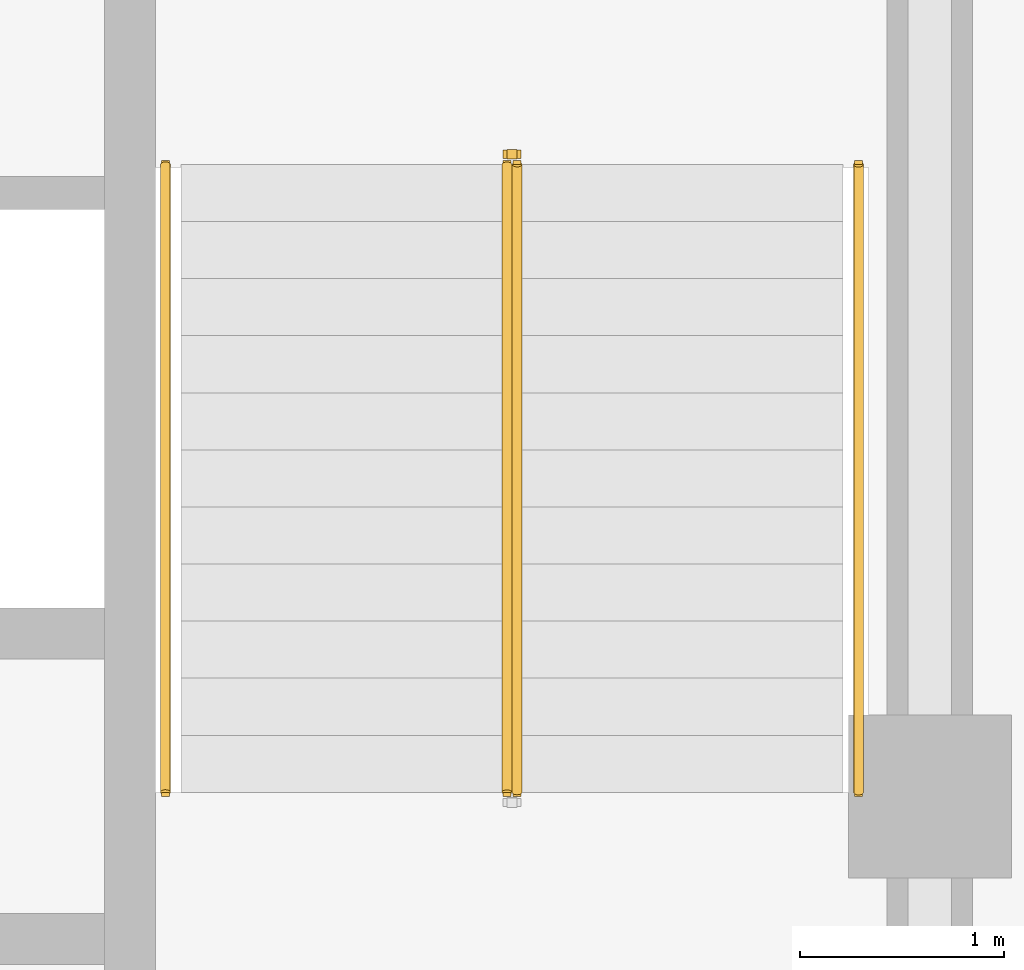
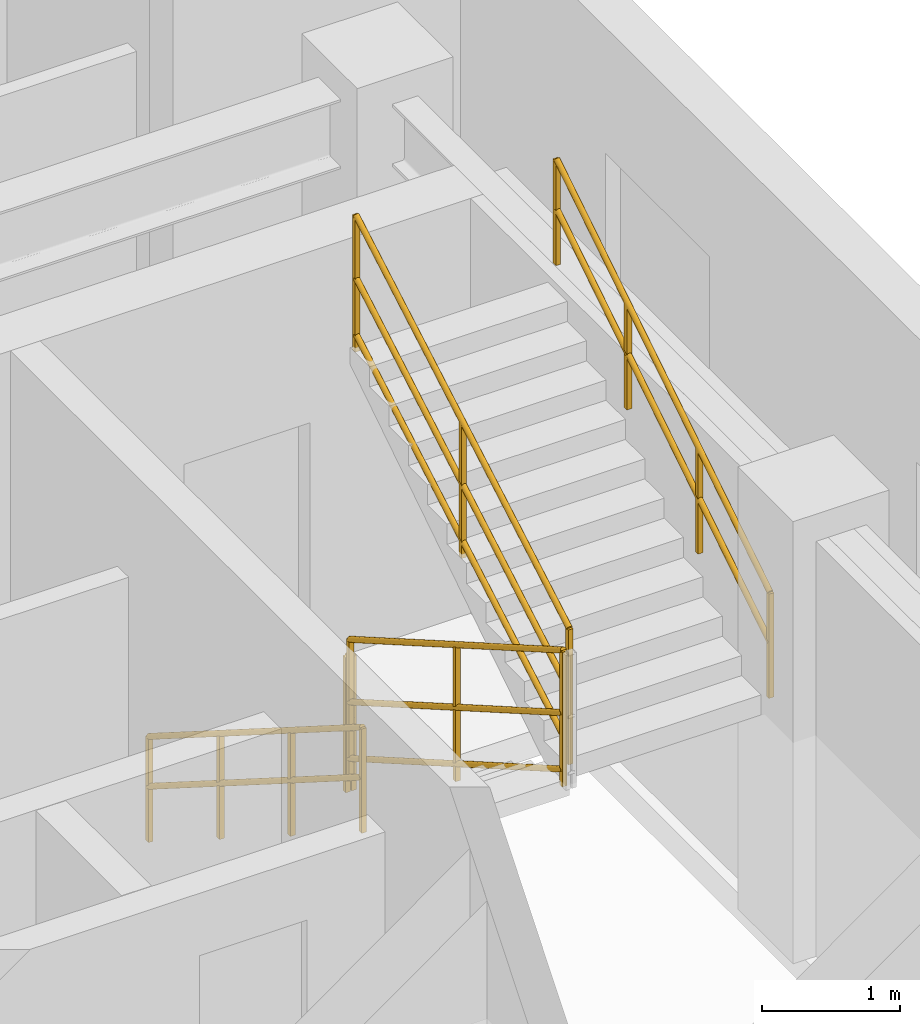
# One storey, part 9 of 10: 5 railings.
"""IFC4 building model written with IfcOpenShell, lengths in metres."""

import ifcopenshell
import ifcopenshell.guid

model = None  # the IFC model being written
_history = None  # IfcOwnerHistory: only IFC2X3 demands one
_inside = {}  # id of a spatial element -> (the spatial element, [elements in it])
_under = {}  # id of a project, library or spatial element -> (it, [spatial elements below it])
_declared = {}  # id of a project -> (the project, [libraries it declares])
_typed = {}  # id of a type object -> (the type object, [elements of that type])
_made_of = {}  # id of a material, layer set ... -> (it, [elements and type objects made of it])


def new_model(schema):
    """Start an empty IFC model of exactly this schema.

    Asked for "IFC4X3", IfcOpenShell would pick the latest addendum, in which some entities
    have other attributes; the version numbers below select the first issue.
    IFC2X3 requires an IfcOwnerHistory on every rooted entity: one is made here for all.
    """
    global model, _history
    if schema == "IFC4X3":
        model = ifcopenshell.file(schema_version=(4, 3, 0, 0))
    else:
        model = ifcopenshell.file(schema=schema)
    _inside.clear()
    _under.clear()
    _declared.clear()
    _typed.clear()
    _made_of.clear()
    _history = None
    if model.schema == "IFC2X3":
        org = make("IfcOrganization", Name="unknown")
        user = make(
            "IfcPersonAndOrganization",
            ThePerson=make("IfcPerson", FamilyName="unknown"),
            TheOrganization=org,
        )
        app = make(
            "IfcApplication",
            ApplicationDeveloper=org,
            Version="unknown",
            ApplicationFullName="unknown",
            ApplicationIdentifier="unknown",
        )
        _history = make(
            "IfcOwnerHistory",
            OwningUser=user,
            OwningApplication=app,
            ChangeAction="ADDED",
            CreationDate=0,
        )
    return model


def make(cls, **values):
    """One entity of the class cls with the attributes given. An attribute that is None is left unset."""
    return model.create_entity(
        cls, **{name: value for name, value in values.items() if value is not None}
    )


def entity(cls, *values):
    """Any entity or typed value of the class cls, its attributes in the order of the schema. None: left unset."""
    e = model.create_entity(cls)
    for i, value in enumerate(values):
        if value is not None:
            e[i] = value
    return e


def rooted(cls, **values):
    """An entity with a GlobalId (a new one), such as an element, a storey or a relation."""
    return make(cls, GlobalId=ifcopenshell.guid.new(), OwnerHistory=_history, **values)


def si_unit(unit_type, name, prefix=None):
    """IfcSIUnit, for example si_unit("LENGTHUNIT", "METRE", prefix="MILLI")."""
    return make("IfcSIUnit", UnitType=unit_type, Prefix=prefix, Name=name)


def converted_unit(unit_type, name, factor, base, dimensions=None, offset=None):
    """IfcConversionBasedUnit, such as the inch: factor (a typed value) times the base unit."""
    return make(
        "IfcConversionBasedUnit"
        if offset is None
        else "IfcConversionBasedUnitWithOffset",
        ConversionOffset=offset,
        Dimensions=None
        if dimensions is None
        else entity("IfcDimensionalExponents", *dimensions),
        UnitType=unit_type,
        Name=name,
        ConversionFactor=make(
            "IfcMeasureWithUnit", ValueComponent=factor, UnitComponent=base
        ),
    )


def assignment(units):
    """IfcUnitAssignment: the units of a project."""
    return None if units is None else make("IfcUnitAssignment", Units=units)


def point(xyz):
    """IfcCartesianPoint."""
    return None if xyz is None else make("IfcCartesianPoint", Coordinates=xyz)


def direction(xyz):
    """IfcDirection."""
    return None if xyz is None else make("IfcDirection", DirectionRatios=xyz)


def frame(location, z_axis=None, x_axis=None):
    """IfcAxis2Placement3D, a coordinate frame: its origin and axes. An axis left out is left unset."""
    return make(
        "IfcAxis2Placement3D",
        Location=point(location),
        Axis=direction(z_axis),
        RefDirection=direction(x_axis),
    )


def frame_2d(location, x_axis=None):
    """IfcAxis2Placement2D, a coordinate frame in the plane: its origin and x axis."""
    return make(
        "IfcAxis2Placement2D", Location=point(location), RefDirection=direction(x_axis)
    )


def origin_with_axes():
    """The frame at (0, 0, 0) with the z axis (0, 0, 1) and the x axis (1, 0, 0) written out."""
    return frame((0.0, 0.0, 0.0), z_axis=(0.0, 0.0, 1.0), x_axis=(1.0, 0.0, 0.0))


def origin_2d_with_axis():
    """The frame at (0, 0) in the plane with the x axis (1, 0) written out."""
    return frame_2d((0.0, 0.0), x_axis=(1.0, 0.0))


def place(relative_to, where):
    """IfcLocalPlacement: puts the frame where relative to a parent placement (None: the world)."""
    return make(
        "IfcLocalPlacement", PlacementRelTo=relative_to, RelativePlacement=where
    )


def context(
    kind, dimensions, precision=None, world=None, true_north=None, identifier=None
):
    """IfcGeometricRepresentationContext, for example the 3D "Model" context."""
    return make(
        "IfcGeometricRepresentationContext",
        ContextIdentifier=identifier,
        ContextType=kind,
        CoordinateSpaceDimension=dimensions,
        Precision=precision,
        WorldCoordinateSystem=world,
        TrueNorth=true_north,
    )


def subcontext(parent, identifier, kind, view, scale=None):
    """IfcGeometricRepresentationSubContext, for example "Body" below "Model"."""
    return make(
        "IfcGeometricRepresentationSubContext",
        ContextIdentifier=identifier,
        ContextType=kind,
        ParentContext=parent,
        TargetScale=scale,
        TargetView=view,
    )


def project(units=None, contexts=None):
    """IfcProject with its units and contexts."""
    return rooted(
        "IfcProject",
        Name="project",
        RepresentationContexts=contexts,
        UnitsInContext=assignment(units),
    )


def spatial(cls, under=None, at=None, **own):
    """A site, building, storey or space (cls), placed at a placement, below another one or the project."""
    s = rooted(cls, ObjectPlacement=at, **own)
    if under is not None:
        _under.setdefault(under.id(), (under, []))[1].append(s)
    return s


def profile(cls, at=None, kind="AREA", **sizes):
    """A parametric profile (cls). Its sizes go by their IFC names, for example OverallWidth=200.0."""
    return make(cls, ProfileType=kind, Position=at, **sizes)


def rectangle(**sizes):
    """IfcRectangleProfileDef."""
    return profile("IfcRectangleProfileDef", **sizes)


def circle(**sizes):
    """IfcCircleProfileDef."""
    return profile("IfcCircleProfileDef", **sizes)


def extrude(swept, where, along, depth):
    """IfcExtrudedAreaSolid: the profile swept, set in the frame where, extruded along a direction by depth."""
    return make(
        "IfcExtrudedAreaSolid",
        SweptArea=swept,
        Position=where,
        ExtrudedDirection=direction(along),
        Depth=depth,
    )


def shape(context_of_items, identifier, shape_type, items):
    """IfcShapeRepresentation: the items that make up one representation, for example the "Body"."""
    return make(
        "IfcShapeRepresentation",
        ContextOfItems=context_of_items,
        RepresentationIdentifier=identifier,
        RepresentationType=shape_type,
        Items=items,
    )


def material(Name=None, Category=None):
    """IfcMaterial."""
    return make("IfcMaterial", Name=Name, Category=Category)


def made_of(thing, what):
    """Note that an element or type object is made of a material, layer set ...; save() writes the relation."""
    if what is not None:
        _made_of.setdefault(what.id(), (what, []))[1].append(thing)
    return thing


def type_object(cls, material=None, **own):
    """A type object (cls), such as IfcWallType, which elements share."""
    return made_of(rooted(cls, **own), material)


def element(
    cls,
    number,
    at=None,
    inside=None,
    cuts=None,
    type_object=None,
    material=None,
    context=None,
    identifier="Body",
    shape_type=None,
    held_by="IfcProductDefinitionShape",
    body=None,
    shapes=None,
    **own,
):
    """One element of the class cls, such as IfcWall. Its Tag is "e" and its number.

    at: its placement. inside: the storey or other place that contains it. cuts: it is an
    opening in that element (IfcRelVoidsElement). A single representation is given by context,
    identifier, shape_type and body (its items); several are given by shapes. held_by: the class
    of the entity that holds the representations. save() writes the other relations.
    """
    e = rooted(cls, Tag="e%d" % number, ObjectPlacement=at, **own)
    if body is not None:
        shapes = [shape(context, identifier, shape_type, body)]
    if shapes is not None:
        e.Representation = make(held_by, Representations=shapes)
    if inside is not None:
        _inside.setdefault(inside.id(), (inside, []))[1].append(e)
    if cuts is not None:
        rooted(
            "IfcRelVoidsElement", RelatingBuildingElement=cuts, RelatedOpeningElement=e
        )
    if type_object is not None:
        _typed.setdefault(type_object.id(), (type_object, []))[1].append(e)
    return made_of(e, material)


def aggregate(whole, parts):
    """IfcRelAggregates: a whole, such as a stair, and the parts it consists of."""
    return rooted("IfcRelAggregates", RelatingObject=whole, RelatedObjects=parts)


def save(model, path):
    """Write the relations noted so far, then the file.

    IfcRelAggregates (storeys below a building ...), IfcRelContainedInSpatialStructure (elements
    in a storey), IfcRelDefinesByType, IfcRelAssociatesMaterial and IfcRelDeclares: one each for
    every whole, place, type object, material and project.
    """
    for whole, parts in _under.values():
        aggregate(whole, parts)
    for where, things in _inside.values():
        rooted(
            "IfcRelContainedInSpatialStructure",
            RelatedElements=things,
            RelatingStructure=where,
        )
    for kind, things in _typed.values():
        rooted("IfcRelDefinesByType", RelatedObjects=things, RelatingType=kind)
    for what, things in _made_of.values():
        rooted("IfcRelAssociatesMaterial", RelatedObjects=things, RelatingMaterial=what)
    for by, libraries in _declared.values():
        rooted("IfcRelDeclares", RelatingContext=by, RelatedDefinitions=libraries)
    model.write(path)


model = new_model("IFC4")

# Units and contexts
model_context = context("Model", 3, precision=1e-05, world=origin_with_axes(), true_north=direction((0.0, 1.0)))
body_context = subcontext(model_context, "Body", "Model", "MODEL_VIEW")
ifc_project = project(units=[si_unit("LENGTHUNIT", "METRE"), si_unit("AREAUNIT", "SQUARE_METRE"), si_unit("VOLUMEUNIT", "CUBIC_METRE"), converted_unit("PLANEANGLEUNIT", "DEGREE", entity("IfcPlaneAngleMeasure", 0.017453292519943295), si_unit("PLANEANGLEUNIT", "RADIAN"), dimensions=[0, 0, 0, 0, 0, 0, 0]), si_unit("MASSUNIT", "GRAM", prefix="KILO"), si_unit("THERMODYNAMICTEMPERATUREUNIT", "KELVIN")], contexts=[model_context])

# Site, building, storey
site_placement = place(None, origin_with_axes())
site = spatial("IfcSite", under=ifc_project, at=site_placement, CompositionType="ELEMENT")
building_placement = place(site_placement, origin_with_axes())
building = spatial("IfcBuilding", under=site, at=building_placement, Name="Varnlund Millrace Tower", CompositionType="ELEMENT")
storey_placement = place(building_placement, frame((0.0, 0.0, 272.4), z_axis=(0.0, 0.0, 1.0), x_axis=(1.0, 0.0, 0.0)))
storey = spatial("IfcBuildingStorey", under=building, at=storey_placement, Name="L67", CompositionType="ELEMENT", Elevation=272.4)

# Railings
ifc_material_1 = material(Name="Painted steel stair well balustrade guard", Category="steel")
railing_type_1 = type_object("IfcRailingType", Name="Type-StairGuard-1150", PredefinedType="GUARDRAIL", material=ifc_material_1)
railing_1_placement = place(storey_placement, frame((0.0, 0.0, -272.4), z_axis=(0.0, 0.0, 1.0), x_axis=(1.0, 0.0, 0.0)))
element("IfcRailing", 1, at=railing_1_placement, inside=storey, type_object=railing_type_1, Name="Type-StairGuard-1150", PredefinedType="GUARDRAIL", context=body_context, shape_type="SweptSolid", body=[
    extrude(circle(Radius=0.024, at=origin_2d_with_axis()), frame((45.975, 21.1, 273.727273), z_axis=(0.0, -0.866696, 0.498836), x_axis=(1.0, 0.0, 0.0)), (0.0, 0.0, 1.0), 3.553725),
    extrude(circle(Radius=0.024, at=origin_2d_with_axis()), frame((45.975, 21.1, 272.677273), z_axis=(0.0, -0.866696, 0.498836), x_axis=(1.0, 0.0, 0.0)), (0.0, 0.0, 1.0), 3.553725),
    extrude(circle(Radius=0.024, at=origin_2d_with_axis()), frame((45.975, 21.1, 273.175273), z_axis=(0.0, -0.866696, 0.498836), x_axis=(1.0, 0.0, 0.0)), (0.0, 0.0, 1.0), 3.553725),
    extrude(rectangle(XDim=0.04, YDim=0.04, at=origin_2d_with_axis()), frame((45.975, 21.1, 272.537273), z_axis=(0.0, 0.0, 1.0), x_axis=(1.0, 0.0, 0.0)), (0.0, 0.0, 1.0), 1.19),
    extrude(rectangle(XDim=0.04, YDim=0.04, at=origin_2d_with_axis()), frame((45.975, 19.56, 273.423636), z_axis=(0.0, 0.0, 1.0), x_axis=(1.0, 0.0, 0.0)), (0.0, 0.0, 1.0), 1.19),
    extrude(rectangle(XDim=0.04, YDim=0.04, at=origin_2d_with_axis()), frame((45.975, 18.02, 274.31), z_axis=(0.0, 0.0, 1.0), x_axis=(1.0, 0.0, 0.0)), (0.0, 0.0, 1.0), 1.19),
])
railing_2_placement = place(storey_placement, frame((0.0, 0.0, -272.4), z_axis=(0.0, 0.0, 1.0), x_axis=(1.0, 0.0, 0.0)))
element("IfcRailing", 2, at=railing_2_placement, inside=storey, type_object=railing_type_1, Name="Type-StairGuard-1150", PredefinedType="GUARDRAIL", context=body_context, shape_type="SweptSolid", body=[
    extrude(circle(Radius=0.024, at=origin_2d_with_axis()), frame((46.025, 18.02, 275.677273), z_axis=(0.0, 0.866696, 0.498836), x_axis=(-1.0, 0.0, 0.0)), (0.0, 0.0, 1.0), 3.553725),
    extrude(circle(Radius=0.024, at=origin_2d_with_axis()), frame((46.025, 18.02, 274.627273), z_axis=(0.0, 0.866696, 0.498836), x_axis=(-1.0, 0.0, 0.0)), (0.0, 0.0, 1.0), 3.553725),
    extrude(circle(Radius=0.024, at=origin_2d_with_axis()), frame((46.025, 18.02, 275.125273), z_axis=(0.0, 0.866696, 0.498836), x_axis=(-1.0, 0.0, 0.0)), (0.0, 0.0, 1.0), 3.553725),
    extrude(rectangle(XDim=0.04, YDim=0.04, at=origin_2d_with_axis()), frame((46.025, 18.02, 274.487273), z_axis=(0.0, 0.0, 1.0), x_axis=(1.0, 0.0, 0.0)), (0.0, 0.0, 1.0), 1.19),
    extrude(rectangle(XDim=0.04, YDim=0.04, at=origin_2d_with_axis()), frame((46.025, 19.56, 275.373636), z_axis=(0.0, 0.0, 1.0), x_axis=(1.0, 0.0, 0.0)), (0.0, 0.0, 1.0), 1.19),
    extrude(rectangle(XDim=0.04, YDim=0.04, at=origin_2d_with_axis()), frame((46.025, 21.1, 276.26), z_axis=(0.0, 0.0, 1.0), x_axis=(1.0, 0.0, 0.0)), (0.0, 0.0, 1.0), 1.19),
])
railing_3_placement = place(storey_placement, frame((0.0, 0.0, -272.4), z_axis=(0.0, 0.0, 1.0), x_axis=(1.0, 0.0, 0.0)))
element("IfcRailing", 3, at=railing_3_placement, inside=storey, type_object=railing_type_1, Name="Type-StairGuard-1150", PredefinedType="GUARDRAIL", context=body_context, shape_type="SweptSolid", body=[
    extrude(circle(Radius=0.024, at=origin_2d_with_axis()), frame((46.025, 21.15, 273.55), z_axis=(-1.0, 0.0, 0.0), x_axis=(0.0, -1.0, 0.0)), (0.0, 0.0, 1.0), 0.05),
    extrude(circle(Radius=0.024, at=origin_2d_with_axis()), frame((46.025, 21.15, 272.5), z_axis=(-1.0, 0.0, 0.0), x_axis=(0.0, -1.0, 0.0)), (0.0, 0.0, 1.0), 0.05),
    extrude(circle(Radius=0.024, at=origin_2d_with_axis()), frame((46.025, 21.15, 272.998), z_axis=(-1.0, 0.0, 0.0), x_axis=(0.0, -1.0, 0.0)), (0.0, 0.0, 1.0), 0.05),
    extrude(rectangle(XDim=0.04, YDim=0.04, at=origin_2d_with_axis()), frame((46.025, 21.15, 272.36), z_axis=(0.0, 0.0, 1.0), x_axis=(1.0, 0.0, 0.0)), (0.0, 0.0, 1.0), 1.19),
    extrude(rectangle(XDim=0.04, YDim=0.04, at=origin_2d_with_axis()), frame((45.975, 21.15, 272.36), z_axis=(0.0, 0.0, 1.0), x_axis=(1.0, 0.0, 0.0)), (0.0, 0.0, 1.0), 1.19),
])
ifc_material_2 = material(Name="Brushed architectural bronze stair handrail", Category="aluminium")
railing_type_2 = type_object("IfcRailingType", Name="Type-StairHandrail-900", PredefinedType="HANDRAIL", material=ifc_material_2)
railing_4_placement = place(storey_placement, frame((0.0, 0.0, -272.4), z_axis=(0.0, 0.0, 1.0), x_axis=(1.0, 0.0, 0.0)))
element("IfcRailing", 4, at=railing_4_placement, inside=storey, type_object=railing_type_2, Name="Type-StairHandrail-900", PredefinedType="HANDRAIL", context=body_context, shape_type="SweptSolid", body=[
    extrude(circle(Radius=0.024, at=origin_2d_with_axis()), frame((44.3, 21.1, 273.456995), z_axis=(0.0, -0.844902, 0.534922), x_axis=(1.0, 0.0, 0.0)), (0.0, 0.0, 1.0), 3.645394),
    extrude(circle(Radius=0.024, at=origin_2d_with_axis()), frame((44.3, 21.1, 273.017134), z_axis=(0.0, -0.844902, 0.534922), x_axis=(1.0, 0.0, 0.0)), (0.0, 0.0, 1.0), 3.645394),
    extrude(rectangle(XDim=0.04, YDim=0.04, at=origin_2d_with_axis()), frame((44.3, 21.1, 272.537273), z_axis=(0.0, 0.0, 1.0), x_axis=(1.0, 0.0, 0.0)), (0.0, 0.0, 1.0), 0.919722),
    extrude(rectangle(XDim=0.04, YDim=0.04, at=origin_2d_with_axis()), frame((44.3, 20.073333, 273.187273), z_axis=(0.0, 0.0, 1.0), x_axis=(1.0, 0.0, 0.0)), (0.0, 0.0, 1.0), 0.919722),
    extrude(rectangle(XDim=0.04, YDim=0.04, at=origin_2d_with_axis()), frame((44.3, 19.046667, 273.837273), z_axis=(0.0, 0.0, 1.0), x_axis=(1.0, 0.0, 0.0)), (0.0, 0.0, 1.0), 0.919722),
    extrude(rectangle(XDim=0.04, YDim=0.04, at=origin_2d_with_axis()), frame((44.3, 18.02, 274.487273), z_axis=(0.0, 0.0, 1.0), x_axis=(1.0, 0.0, 0.0)), (0.0, 0.0, 1.0), 0.919722),
])
railing_5_placement = place(storey_placement, frame((0.0, 0.0, -272.4), z_axis=(0.0, 0.0, 1.0), x_axis=(1.0, 0.0, 0.0)))
element("IfcRailing", 5, at=railing_5_placement, inside=storey, type_object=railing_type_2, Name="Type-StairHandrail-900", PredefinedType="HANDRAIL", context=body_context, shape_type="SweptSolid", body=[
    extrude(circle(Radius=0.024, at=origin_2d_with_axis()), frame((47.7, 18.02, 275.406995), z_axis=(0.0, 0.844902, 0.534922), x_axis=(-1.0, 0.0, 0.0)), (0.0, 0.0, 1.0), 3.645394),
    extrude(circle(Radius=0.024, at=origin_2d_with_axis()), frame((47.7, 18.02, 274.967134), z_axis=(0.0, 0.844902, 0.534922), x_axis=(-1.0, 0.0, 0.0)), (0.0, 0.0, 1.0), 3.645394),
    extrude(rectangle(XDim=0.04, YDim=0.04, at=origin_2d_with_axis()), frame((47.7, 18.02, 274.487273), z_axis=(0.0, 0.0, 1.0), x_axis=(1.0, 0.0, 0.0)), (0.0, 0.0, 1.0), 0.919722),
    extrude(rectangle(XDim=0.04, YDim=0.04, at=origin_2d_with_axis()), frame((47.7, 19.046667, 275.137273), z_axis=(0.0, 0.0, 1.0), x_axis=(1.0, 0.0, 0.0)), (0.0, 0.0, 1.0), 0.919722),
    extrude(rectangle(XDim=0.04, YDim=0.04, at=origin_2d_with_axis()), frame((47.7, 20.073333, 275.787273), z_axis=(0.0, 0.0, 1.0), x_axis=(1.0, 0.0, 0.0)), (0.0, 0.0, 1.0), 0.919722),
    extrude(rectangle(XDim=0.04, YDim=0.04, at=origin_2d_with_axis()), frame((47.7, 21.1, 276.437273), z_axis=(0.0, 0.0, 1.0), x_axis=(1.0, 0.0, 0.0)), (0.0, 0.0, 1.0), 0.919722),
])

save(model, "model.ifc")
